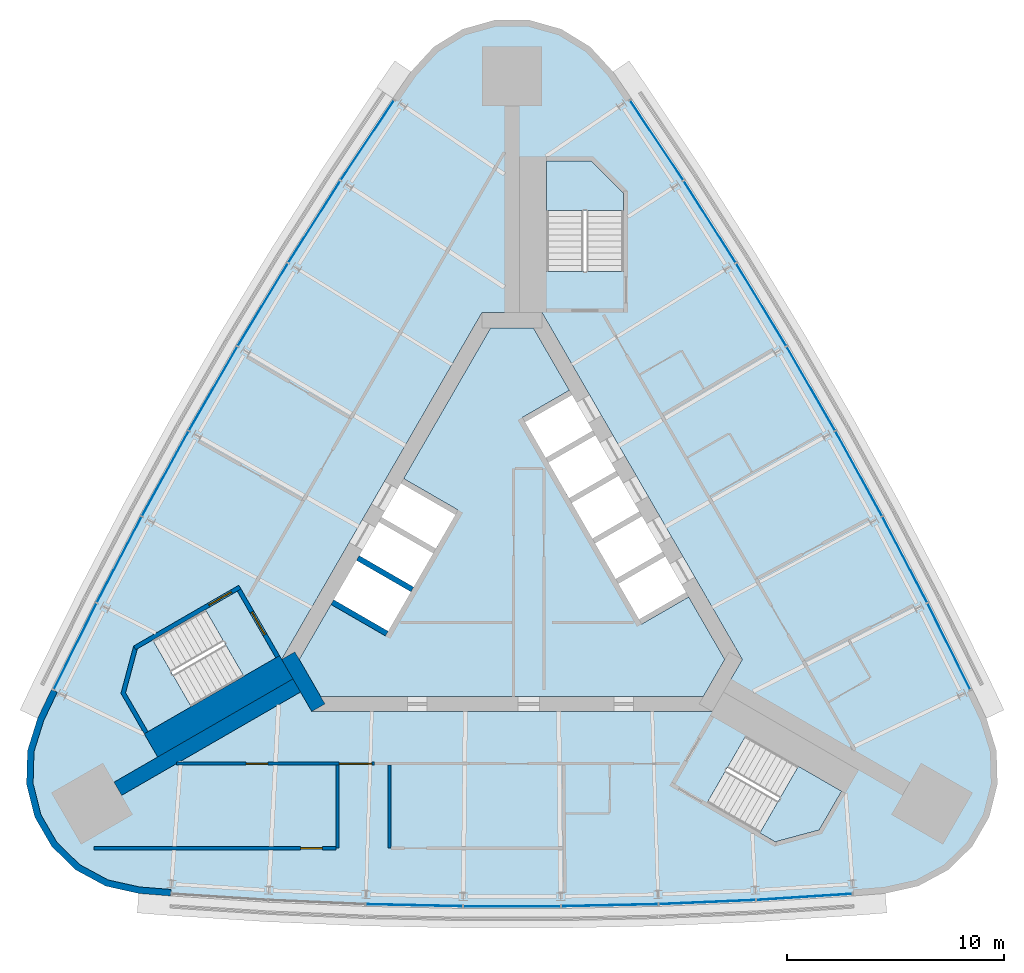
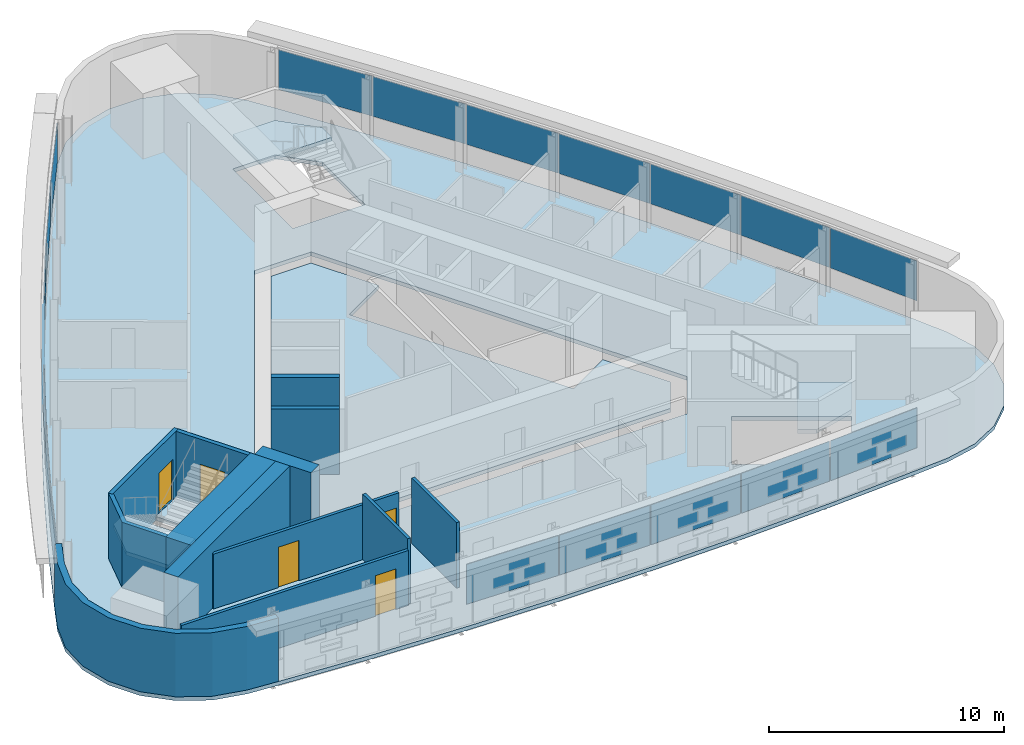
# One storey, part 7 of 12: 19 plates, 13 walls, 5 doors, 5 slabs, 5 openings, 6 elements without a shape of their own.
"""IFC4 building model written with IfcOpenShell, lengths in metres."""

from ifc_helpers import new_model, si_unit, direction, frame, frame_2d, origin, origin_2d, place, context, subcontext, project, spatial, polyline, rectangle, outline, extrude, material, layer, layer_set, type_object, element, fill, aggregate, save


model = new_model("IFC4")

# Units and contexts
model_context = context("Model", 3, precision=1e-05, world=origin(), true_north=direction((0.0, 1.0)))
body_context = subcontext(model_context, "Body", "Model", "MODEL_VIEW")
ifc_project = project(units=[si_unit("LENGTHUNIT", "METRE"), si_unit("AREAUNIT", "SQUARE_METRE"), si_unit("VOLUMEUNIT", "CUBIC_METRE"), si_unit("PLANEANGLEUNIT", "RADIAN"), si_unit("MASSUNIT", "GRAM", prefix="KILO")], contexts=[model_context])

# Site, building, storey
site_placement = place(None, origin())
site = spatial("IfcSite", under=ifc_project, at=site_placement, CompositionType="ELEMENT")
building_placement = place(site_placement, origin())
building = spatial("IfcBuilding", under=site, at=building_placement, Name="Noor Cloister Tower", CompositionType="ELEMENT")
storey_placement = place(building_placement, frame((0.0, 0.0, 188.699951171875)))
storey = spatial("IfcBuildingStorey", under=building, at=storey_placement, Name="L48", CompositionType="ELEMENT", Elevation=188.699951171875)

# Slabs
ifc_material_1 = material(Name="Concrete C40/50", Category="concrete")
ifc_layer_1 = layer(ifc_material_1, 0.199951171875)
ifc_layer_set_1 = layer_set([ifc_layer_1], Name="Core floor slab 200 C40/50")
slab_type_1 = type_object("IfcSlabType", Name="Core floor slab 200 C40/50", PredefinedType="FLOOR", material=ifc_layer_set_1)
slab_1_placement = place(storey_placement, frame((0.0, 0.0, -0.199951171875)))
element("IfcSlab", 1, at=slab_1_placement, inside=storey, type_object=slab_type_1, Name="Core floor L48", PredefinedType="FLOOR", context=body_context, shape_type="SweptSolid", body=[
    extrude(outline(polyline([(2.643798828125, 7.877197265625), (0.9814453125, 10.75634765625), (-0.9814453125, 10.75634765625), (-4.993896484375, 3.806884765625), (-2.482421875, 2.35693359375), (-5.832275390625, -3.4453125), (-8.34375, -1.995361328125), (-9.80615234375, -4.5283203125), (-8.82470703125, -6.228271484375), (8.82470703125, -6.228271484375), (9.80615234375, -4.5283203125), (8.143798828125, -1.64892578125), (5.978759765625, -2.89892578125), (0.478759765625, 6.627197265625), (2.643798828125, 7.877197265625)])), origin(), (0.0, 0.0, 1.0), 0.199951171875),
])
ifc_material_2 = material(Name="Concrete C40/50", Category="concrete")
ifc_layer_2 = layer(ifc_material_2, 0.199951171875)
ifc_layer_set_2 = layer_set([ifc_layer_2], Name="Floor slab 200 C40/50")
slab_type_2 = type_object("IfcSlabType", Name="Floor slab 200 C40/50", PredefinedType="FLOOR", material=ifc_layer_set_2)
slab_2_placement = place(storey_placement, frame((0.0, 0.0, -0.199951171875)))
element("IfcSlab", 2, at=slab_2_placement, inside=storey, type_object=slab_type_2, Name="Floor slab L48", PredefinedType="FLOOR", context=body_context, shape_type="SweptSolid", body=[
    extrude(outline(polyline([(4.659423828125, 22.556884765625), (3.60498046875, 23.70361328125), (2.278076171875, 24.52001953125), (0.779052734375, 24.9443359375), (-0.779052734375, 24.9443359375), (-2.278076171875, 24.52001953125), (-3.60498046875, 23.70361328125), (-4.659423828125, 22.556884765625), (-5.494384765625, 21.341552734375), (-7.98974609375, 17.59716796875), (-10.404541015625, 13.7998046875), (-12.7373046875, 9.951904296875), (-14.9873046875, 6.054931640625), (-17.1533203125, 2.110595703125), (-19.234375, -1.879150390625), (-21.2294921875, -5.91259765625), (-21.864501953125, -7.2431640625), (-22.330322265625, -8.72998046875), (-22.3740234375, -10.287109375), (-21.991943359375, -11.797607421875), (-21.212890625, -13.146728515625), (-20.095947265625, -14.23291015625), (-18.7255859375, -14.973876953125), (-17.205078125, -15.3134765625), (-15.7353515625, -15.428955078125), (-11.24462890625, -15.7177734375), (-6.748779296875, -15.910400390625), (-2.25, -16.0068359375), (2.25, -16.0068359375), (6.748779296875, -15.910400390625), (11.24462890625, -15.7177734375), (15.7353515625, -15.428955078125), (17.205078125, -15.3134765625), (18.7255859375, -14.973876953125), (20.095947265625, -14.23291015625), (21.212890625, -13.146728515625), (21.991943359375, -11.797607421875), (22.3740234375, -10.287109375), (22.330322265625, -8.72998046875), (21.864501953125, -7.2431640625), (21.2294921875, -5.91259765625), (19.234375, -1.879150390625), (17.1533203125, 2.110595703125), (14.9873046875, 6.054931640625), (12.7373046875, 9.951904296875), (10.404541015625, 13.7998046875), (7.98974609375, 17.59716796875), (5.494384765625, 21.341552734375), (4.659423828125, 22.556884765625)]), holes=[polyline([(8.999755859375, -11.126220703125), (12.131591796875, -12.934326171875), (14.1572265625, -12.3916015625), (15.19091796875, -10.601318359375), (10.774658203125, -8.0517578125), (8.999755859375, -11.126220703125)]), polyline([(-17.81005859375, -6.064697265625), (-16.776611328125, -7.85498046875), (-12.3603515625, -5.305419921875), (-14.13525390625, -2.23095703125), (-16.662841796875, -3.690185546875), (-17.267333984375, -4.039306640625), (-17.81005859375, -6.064697265625)]), polyline([(-10.6142578125, -4.5283203125), (-9.228759765625, -6.92822265625), (9.228759765625, -6.92822265625), (10.6142578125, -4.5283203125), (1.3857421875, 11.456298828125), (-1.3857421875, 11.456298828125), (-10.6142578125, -4.5283203125)]), polyline([(3.65283203125, 18.456298828125), (1.585693359375, 18.456298828125), (1.585693359375, 13.35693359375), (5.135498046875, 13.35693359375), (5.135498046875, 16.9736328125), (3.65283203125, 18.456298828125)])]), origin(), (0.0, 0.0, 1.0), 0.199951171875),
])

# Curtain wall, plates
ifc_material_3 = material(Name="Aluminium 6063-T6 anodised", Category="aluminium")
curtain_wall_type = type_object("IfcCurtainWallType", Name="Ribbon curtain wall, upper tower CW5", PredefinedType="NOTDEFINED", material=ifc_material_3)
curtain_wall_1_placement = place(storey_placement, origin())
curtain_wall_1 = element("IfcCurtainWall", 3, at=curtain_wall_1_placement, inside=storey, type_object=curtain_wall_type, Name="CW5 L48 NW run 1", PredefinedType="NOTDEFINED")
ifc_material_4 = material(Name="Clear laminated glass 2 x 8 mm", Category="glass")
ifc_layer_3 = layer(ifc_material_4, 0.028076171875)
ifc_layer_set_3 = layer_set([ifc_layer_3], Name="Glass panel CW5")
plate_type = type_object("IfcPlateType", Name="Glass panel CW5", PredefinedType="CURTAIN_PANEL", material=ifc_layer_set_3)
plate_1_placement = place(storey_placement, frame((-6.668212890625, 19.39990234375, 1.08984375), z_axis=(0.0, 0.0, 1.0), x_axis=(-0.554550704513, -0.832149936084, 0.0)))
plate_1 = element("IfcPlate", 4, at=plate_1_placement, type_object=plate_type, Name="CW5 glass panel 1", PredefinedType="CURTAIN_PANEL", context=body_context, shape_type="SweptSolid", body=[
    extrude(rectangle(XDim=4.413818359375, YDim=0.028076171875, at=origin_2d()), origin(), (0.0, 0.0, 1.0), 2.070068359375),
])
plate_2_placement = place(storey_placement, frame((-9.11279296875, 15.644775390625, 1.08984375), z_axis=(0.0, 0.0, 1.0), x_axis=(-0.536610284799, -0.843830197521, 0.0)))
plate_2 = element("IfcPlate", 5, at=plate_2_placement, type_object=plate_type, Name="CW5 glass panel 2", PredefinedType="CURTAIN_PANEL", context=body_context, shape_type="SweptSolid", body=[
    extrude(rectangle(XDim=4.44775390625, YDim=0.028076171875, at=origin_2d()), origin(), (0.0, 0.0, 1.0), 2.070068359375),
])
plate_3_placement = place(storey_placement, frame((-11.4853515625, 11.823974609375, 1.08984375), z_axis=(0.0, 0.0, 1.0), x_axis=(-0.518423928552, -0.855123751456, 0.0)))
plate_3 = element("IfcPlate", 6, at=plate_3_placement, type_object=plate_type, Name="CW5 glass panel 3", PredefinedType="CURTAIN_PANEL", context=body_context, shape_type="SweptSolid", body=[
    extrude(rectangle(XDim=4.44775390625, YDim=0.028076171875, at=origin_2d()), origin(), (0.0, 0.0, 1.0), 2.070068359375),
])
plate_4_placement = place(storey_placement, frame((-13.775634765625, 7.953369140625, 1.08984375), z_axis=(0.0, 0.0, 1.0), x_axis=(-0.5, -0.866025403784, 0.0)))
plate_4 = element("IfcPlate", 7, at=plate_4_placement, type_object=plate_type, Name="CW5 glass panel 4", PredefinedType="CURTAIN_PANEL", context=body_context, shape_type="SweptSolid", body=[
    extrude(rectangle(XDim=4.44775390625, YDim=0.028076171875, at=origin_2d()), origin(), (0.0, 0.0, 1.0), 2.070068359375),
])
plate_5_placement = place(storey_placement, frame((-15.982666015625, 4.03466796875, 1.08984375), z_axis=(0.0, 0.0, 1.0), x_axis=(-0.481346927864, -0.876530167784, 0.0)))
plate_5 = element("IfcPlate", 8, at=plate_5_placement, type_object=plate_type, Name="CW5 glass panel 5", PredefinedType="CURTAIN_PANEL", context=body_context, shape_type="SweptSolid", body=[
    extrude(rectangle(XDim=4.44775390625, YDim=0.028076171875, at=origin_2d()), origin(), (0.0, 0.0, 1.0), 2.070068359375),
])
plate_6_placement = place(storey_placement, frame((-18.105224609375, 0.0693359375, 1.08984375), z_axis=(0.0, 0.0, 1.0), x_axis=(-0.462473245134, -0.886633237328, 0.0)))
plate_6 = element("IfcPlate", 9, at=plate_6_placement, type_object=plate_type, Name="CW5 glass panel 6", PredefinedType="CURTAIN_PANEL", context=body_context, shape_type="SweptSolid", body=[
    extrude(rectangle(XDim=4.44775390625, YDim=0.028076171875, at=origin_2d()), origin(), (0.0, 0.0, 1.0), 2.070068359375),
])
plate_7_placement = place(storey_placement, frame((-20.134765625, -3.925048828125, 1.08984375), z_axis=(0.0, 0.0, 1.0), x_axis=(-0.443387632149, -0.896329965837, 0.0)))
plate_7 = element("IfcPlate", 10, at=plate_7_placement, type_object=plate_type, Name="CW5 glass panel 7", PredefinedType="CURTAIN_PANEL", context=body_context, shape_type="SweptSolid", body=[
    extrude(rectangle(XDim=4.413818359375, YDim=0.028076171875, at=origin_2d()), origin(), (0.0, 0.0, 1.0), 2.070068359375),
])
aggregate(curtain_wall_1, [plate_1, plate_2, plate_3, plate_4, plate_5, plate_6, plate_7])

curtain_wall_2_placement = place(storey_placement, origin())
curtain_wall_2 = element("IfcCurtainWall", 11, at=curtain_wall_2_placement, inside=storey, type_object=curtain_wall_type, Name="CW5 L48 S run 2", PredefinedType="NOTDEFINED")
plate_8_placement = place(storey_placement, frame((-4.497314453125, -15.858642578125, 1.08984375), z_axis=(0.0, 0.0, 1.0), x_axis=(0.999770856417, -0.021406416328, 0.0)))
plate_8 = element("IfcPlate", 12, at=plate_8_placement, type_object=plate_type, Name="CW5 glass panel 3", PredefinedType="CURTAIN_PANEL", context=body_context, shape_type="SweptSolid", body=[
    extrude(rectangle(XDim=4.44775390625, YDim=0.028076171875, at=origin_2d()), origin(), (0.0, 0.0, 1.0), 2.070068359375),
])
plate_9_placement = place(storey_placement, frame((0.0, -15.90673828125, 1.08984375), z_axis=(0.0, 0.0, 1.0), x_axis=(1.0, 0.0, 0.0)))
plate_9 = element("IfcPlate", 13, at=plate_9_placement, type_object=plate_type, Name="CW5 glass panel 4", PredefinedType="CURTAIN_PANEL", context=body_context, shape_type="SweptSolid", body=[
    extrude(rectangle(XDim=4.44775390625, YDim=0.028076171875, at=origin_2d()), origin(), (0.0, 0.0, 1.0), 2.070068359375),
])
plate_10_placement = place(storey_placement, frame((4.497314453125, -15.858642578125, 1.08984375), z_axis=(0.0, 0.0, 1.0), x_axis=(0.999770856417, 0.021406416328, 0.0)))
plate_10 = element("IfcPlate", 14, at=plate_10_placement, type_object=plate_type, Name="CW5 glass panel 5", PredefinedType="CURTAIN_PANEL", context=body_context, shape_type="SweptSolid", body=[
    extrude(rectangle(XDim=4.44775390625, YDim=0.028076171875, at=origin_2d()), origin(), (0.0, 0.0, 1.0), 2.070068359375),
])
plate_11_placement = place(storey_placement, frame((8.992431640625, -15.71435546875, 1.08984375), z_axis=(0.0, 0.0, 1.0), x_axis=(0.999083529933, 0.042803039807, 0.0)))
plate_11 = element("IfcPlate", 15, at=plate_11_placement, type_object=plate_type, Name="CW5 glass panel 6", PredefinedType="CURTAIN_PANEL", context=body_context, shape_type="SweptSolid", body=[
    extrude(rectangle(XDim=4.44775390625, YDim=0.028076171875, at=origin_2d()), origin(), (0.0, 0.0, 1.0), 2.070068359375),
])
plate_12_placement = place(storey_placement, frame((13.466552734375, -15.474853515625, 1.08984375), z_axis=(0.0, 0.0, 1.0), x_axis=(0.997938336663, 0.064180029753, 0.0)))
plate_12 = element("IfcPlate", 16, at=plate_12_placement, type_object=plate_type, Name="CW5 glass panel 7", PredefinedType="CURTAIN_PANEL", context=body_context, shape_type="SweptSolid", body=[
    extrude(rectangle(XDim=4.413818359375, YDim=0.028076171875, at=origin_2d()), origin(), (0.0, 0.0, 1.0), 2.070068359375),
])
aggregate(curtain_wall_2, [plate_8, plate_9, plate_10, plate_11, plate_12])

curtain_wall_3_placement = place(storey_placement, origin())
curtain_wall_3 = element("IfcCurtainWall", 17, at=curtain_wall_3_placement, inside=storey, type_object=curtain_wall_type, Name="CW5 L48 NE run 3", PredefinedType="NOTDEFINED")
plate_13_placement = place(storey_placement, frame((20.134765625, -3.925048828125, 1.08984375), z_axis=(0.0, 0.0, 1.0), x_axis=(-0.443387632149, 0.896329965837, 0.0)))
plate_13 = element("IfcPlate", 18, at=plate_13_placement, type_object=plate_type, Name="CW5 glass panel 1", PredefinedType="CURTAIN_PANEL", context=body_context, shape_type="SweptSolid", body=[
    extrude(rectangle(XDim=4.413818359375, YDim=0.028076171875, at=origin_2d()), origin(), (0.0, 0.0, 1.0), 2.070068359375),
])
plate_14_placement = place(storey_placement, frame((18.105224609375, 0.0693359375, 1.08984375), z_axis=(0.0, 0.0, 1.0), x_axis=(-0.462473245134, 0.886633237328, 0.0)))
plate_14 = element("IfcPlate", 19, at=plate_14_placement, type_object=plate_type, Name="CW5 glass panel 2", PredefinedType="CURTAIN_PANEL", context=body_context, shape_type="SweptSolid", body=[
    extrude(rectangle(XDim=4.44775390625, YDim=0.028076171875, at=origin_2d()), origin(), (0.0, 0.0, 1.0), 2.070068359375),
])
plate_15_placement = place(storey_placement, frame((15.982666015625, 4.03466796875, 1.08984375), z_axis=(0.0, 0.0, 1.0), x_axis=(-0.481346927864, 0.876530167784, 0.0)))
plate_15 = element("IfcPlate", 20, at=plate_15_placement, type_object=plate_type, Name="CW5 glass panel 3", PredefinedType="CURTAIN_PANEL", context=body_context, shape_type="SweptSolid", body=[
    extrude(rectangle(XDim=4.44775390625, YDim=0.028076171875, at=origin_2d()), origin(), (0.0, 0.0, 1.0), 2.070068359375),
])
plate_16_placement = place(storey_placement, frame((13.775634765625, 7.953369140625, 1.08984375), z_axis=(0.0, 0.0, 1.0), x_axis=(-0.5, 0.866025403784, 0.0)))
plate_16 = element("IfcPlate", 21, at=plate_16_placement, type_object=plate_type, Name="CW5 glass panel 4", PredefinedType="CURTAIN_PANEL", context=body_context, shape_type="SweptSolid", body=[
    extrude(rectangle(XDim=4.44775390625, YDim=0.028076171875, at=origin_2d()), origin(), (0.0, 0.0, 1.0), 2.070068359375),
])
plate_17_placement = place(storey_placement, frame((11.4853515625, 11.823974609375, 1.08984375), z_axis=(0.0, 0.0, 1.0), x_axis=(-0.518423928552, 0.855123751456, 0.0)))
plate_17 = element("IfcPlate", 22, at=plate_17_placement, type_object=plate_type, Name="CW5 glass panel 5", PredefinedType="CURTAIN_PANEL", context=body_context, shape_type="SweptSolid", body=[
    extrude(rectangle(XDim=4.44775390625, YDim=0.028076171875, at=origin_2d()), origin(), (0.0, 0.0, 1.0), 2.070068359375),
])
plate_18_placement = place(storey_placement, frame((9.11279296875, 15.644775390625, 1.08984375), z_axis=(0.0, 0.0, 1.0), x_axis=(-0.536610284799, 0.843830197521, 0.0)))
plate_18 = element("IfcPlate", 23, at=plate_18_placement, type_object=plate_type, Name="CW5 glass panel 6", PredefinedType="CURTAIN_PANEL", context=body_context, shape_type="SweptSolid", body=[
    extrude(rectangle(XDim=4.44775390625, YDim=0.028076171875, at=origin_2d()), origin(), (0.0, 0.0, 1.0), 2.070068359375),
])
plate_19_placement = place(storey_placement, frame((6.668212890625, 19.39990234375, 1.08984375), z_axis=(0.0, 0.0, 1.0), x_axis=(-0.554550704513, 0.832149936084, 0.0)))
plate_19 = element("IfcPlate", 24, at=plate_19_placement, type_object=plate_type, Name="CW5 glass panel 7", PredefinedType="CURTAIN_PANEL", context=body_context, shape_type="SweptSolid", body=[
    extrude(rectangle(XDim=4.413818359375, YDim=0.028076171875, at=origin_2d()), origin(), (0.0, 0.0, 1.0), 2.070068359375),
])
aggregate(curtain_wall_3, [plate_13, plate_14, plate_15, plate_16, plate_17, plate_18, plate_19])

# Stair, slab
ifc_material_5 = material(Name="Concrete C40/50", Category="concrete")
stair_type = type_object("IfcStairType", Name="Exit stair 22 risers", PredefinedType="HALF_TURN_STAIR", material=ifc_material_5)
stair_1_placement = place(storey_placement, origin())
stair_1 = element("IfcStair", 25, at=stair_1_placement, inside=storey, type_object=stair_type, Name="Exit stair ST1 L48", PredefinedType="HALF_TURN_STAIR")
ifc_material_6 = material(Name="Concrete C40/50", Category="concrete")
ifc_layer_4 = layer(ifc_material_6, 0.199951171875)
ifc_layer_set_4 = layer_set([ifc_layer_4], Name="Stair landing 200 C40/50")
slab_type_3 = type_object("IfcSlabType", Name="Stair landing 200 C40/50", PredefinedType="LANDING", material=ifc_layer_set_4)
slab_3_placement = place(storey_placement, frame((0.0, 0.0, 1.60009765625)))
slab_3 = element("IfcSlab", 26, at=slab_3_placement, type_object=slab_type_3, Name="ST1 landing 1", PredefinedType="LANDING", context=body_context, shape_type="SweptSolid", body=[
    extrude(outline(polyline([(5.135498046875, 16.15576171875), (5.135498046875, 16.9736328125), (3.65283203125, 18.456298828125), (1.585693359375, 18.456298828125), (1.585693359375, 16.15576171875), (5.135498046875, 16.15576171875)])), origin(), (0.0, 0.0, 1.0), 0.199951171875),
])
aggregate(stair_1, [slab_3])

stair_2_placement = place(storey_placement, origin())
stair_2 = element("IfcStair", 27, at=stair_2_placement, inside=storey, type_object=stair_type, Name="Exit stair ST2 L48", PredefinedType="HALF_TURN_STAIR")
slab_4_placement = place(storey_placement, frame((0.0, 0.0, 1.60009765625)))
slab_4 = element("IfcSlab", 28, at=slab_4_placement, type_object=slab_type_3, Name="ST2 landing 1", PredefinedType="LANDING", context=body_context, shape_type="SweptSolid", body=[
    extrude(outline(polyline([(-16.55908203125, -3.63037109375), (-17.267333984375, -4.039306640625), (-17.81005859375, -6.064697265625), (-16.776611328125, -7.85498046875), (-14.7841796875, -6.70458984375), (-16.55908203125, -3.63037109375)])), origin(), (0.0, 0.0, 1.0), 0.199951171875),
])
aggregate(stair_2, [slab_4])

stair_3_placement = place(storey_placement, origin())
stair_3 = element("IfcStair", 29, at=stair_3_placement, inside=storey, type_object=stair_type, Name="Exit stair ST3 L48", PredefinedType="HALF_TURN_STAIR")
slab_5_placement = place(storey_placement, frame((0.0, 0.0, 1.60009765625)))
slab_5 = element("IfcSlab", 30, at=slab_5_placement, type_object=slab_type_3, Name="ST3 landing 1", PredefinedType="LANDING", context=body_context, shape_type="SweptSolid", body=[
    extrude(outline(polyline([(11.423583984375, -12.525390625), (12.131591796875, -12.934326171875), (14.1572265625, -12.3916015625), (15.19091796875, -10.601318359375), (13.198486328125, -9.451171875), (11.423583984375, -12.525390625)])), origin(), (0.0, 0.0, 1.0), 0.199951171875),
])
aggregate(stair_3, [slab_5])

# Walls
ifc_material_7 = material(Name="Concrete C70/85", Category="concrete")
ifc_layer_5 = layer(ifc_material_7, 0.699951171875)
ifc_layer_set_5 = layer_set([ifc_layer_5], Name="Buttress wall 700 C70/85")
wall_type_1 = type_object("IfcWallType", Name="Buttress wall 700 C70/85", PredefinedType="SHEAR", material=ifc_layer_set_5)
wall_1_placement = place(storey_placement, frame((-9.921630859375, -5.728271484375, -0.199951171875), z_axis=(0.0, 0.0, 1.0), x_axis=(-0.866025463095, -0.499999897272, 0.0)))
element("IfcWall", 31, at=wall_1_placement, inside=storey, type_object=wall_type_1, Name="Buttress wall SW L48", PredefinedType="SHEAR", context=body_context, shape_type="SweptSolid", body=[
    extrude(rectangle(XDim=9.521484375, YDim=0.699951171875, at=frame_2d((4.7607421875, 0.0))), origin(), (0.0, 0.0, 1.0), 3.60009765625),
])
ifc_material_8 = material(Name="Concrete C70/85", Category="concrete")
ifc_layer_6 = layer(ifc_material_8, 0.699951171875)
ifc_layer_set_6 = layer_set([ifc_layer_6], Name="Core wall 700 C70/85")
wall_type_2 = type_object("IfcWallType", Name="Core wall 700 C70/85", PredefinedType="SHEAR", material=ifc_layer_set_6)
wall_2_placement = place(storey_placement, frame((-10.311279296875, -4.353271484375, -0.199951171875), z_axis=(0.0, 0.0, 1.0), x_axis=(0.500042739161, -0.866000726912, 0.0)))
element("IfcWall", 32, at=wall_2_placement, inside=storey, type_object=wall_type_2, Name="Core wall L48 6", PredefinedType="SHEAR", context=body_context, shape_type="SweptSolid", body=[
    extrude(rectangle(XDim=2.771240234375, YDim=0.699951171875, at=frame_2d((1.3857421875, 0.0))), origin(), (0.0, 0.0, 1.0), 3.60009765625),
])

# Wall, openings, doors
ifc_material_9 = material(Name="Gypsum board partition on steel studs, 150 mm", Category="steel")
ifc_layer_7 = layer(ifc_material_9, 0.14990234375)
ifc_layer_set_7 = layer_set([ifc_layer_7], Name="Flat wall 150")
wall_type_3 = type_object("IfcWallType", Name="Flat wall 150", PredefinedType="PARTITIONING", material=ifc_layer_set_7)
wall_3_placement = place(storey_placement, frame((-15.45703125, -9.328125, 0.0), z_axis=(0.0, 0.0, 1.0), x_axis=(1.0, 0.0, 0.0)))
wall_3 = element("IfcWall", 33, at=wall_3_placement, inside=storey, type_object=wall_type_3, Name="Wall L48-W14", PredefinedType="PARTITIONING", context=body_context, shape_type="SweptSolid", body=[
    extrude(rectangle(XDim=9.11962890625, YDim=0.14990234375, at=frame_2d((4.559814453125, 0.0))), origin(), (0.0, 0.0, 1.0), 2.85205078125),
])
opening_1_placement = place(wall_3_placement, frame((7.490966796875, 0.0, 0.0)))
opening_1 = element("IfcOpeningElement", 34, at=opening_1_placement, cuts=wall_3, Name="Opening L48-009", PredefinedType="OPENING", context=body_context, shape_type="SweptSolid", body=[
    extrude(rectangle(XDim=1.5, YDim=2.10009765625, at=frame_2d((0.75, 1.050048828125))), frame((0.0, 0.0849609375, 0.0), z_axis=(0.0, -1.0, 0.0), x_axis=(1.0, 0.0, 0.0)), (0.0, 0.0, 1.0), 0.169921875),
])
opening_2_placement = place(wall_3_placement, frame((3.2060546875, 0.0, 0.0)))
opening_2 = element("IfcOpeningElement", 35, at=opening_2_placement, cuts=wall_3, Name="Opening L48-011", PredefinedType="OPENING", context=body_context, shape_type="SweptSolid", body=[
    extrude(rectangle(XDim=1.0, YDim=2.10009765625, at=frame_2d((0.5, 1.050048828125))), frame((0.0, 0.0849609375, 0.0), z_axis=(0.0, -1.0, 0.0), x_axis=(1.0, 0.0, 0.0)), (0.0, 0.0, 1.0), 0.169921875),
])
ifc_material_10 = material(Name="Timber door leaf with steel frame", Category="steel")
door_type_1 = type_object("IfcDoorType", Name="Double door 1500 FD60", OperationType="NOTDEFINED", PredefinedType="DOOR", material=ifc_material_10)
door_1_placement = place(opening_1_placement, origin())
door_1 = element("IfcDoor", 36, at=door_1_placement, inside=storey, type_object=door_type_1, Name="Door L48-009", OperationType="DOUBLE_DOOR_SINGLE_SWING", OverallHeight=2.10009765625, OverallWidth=1.5, PredefinedType="DOOR", context=body_context, shape_type="SweptSolid", body=[
    extrude(rectangle(XDim=1.5, YDim=2.10009765625, at=frame_2d((0.75, 1.050048828125))), frame((0.0, 0.02490234375, 0.0), z_axis=(0.0, -1.0, 0.0), x_axis=(1.0, 0.0, 0.0)), (0.0, 0.0, 1.0), 0.050048828125),
])
fill(opening_1, door_1)
ifc_material_11 = material(Name="Timber door leaf with steel frame", Category="steel")
door_type_2 = type_object("IfcDoorType", Name="Interior door 1000 FD60", OperationType="NOTDEFINED", PredefinedType="DOOR", material=ifc_material_11)
door_2_placement = place(opening_2_placement, origin())
door_2 = element("IfcDoor", 37, at=door_2_placement, inside=storey, type_object=door_type_2, Name="Door L48-011", OperationType="SINGLE_SWING_LEFT", OverallHeight=2.10009765625, OverallWidth=1.0, PredefinedType="DOOR", context=body_context, shape_type="SweptSolid", body=[
    extrude(rectangle(XDim=1.0, YDim=2.10009765625, at=frame_2d((0.5, 1.050048828125))), frame((0.0, 0.02490234375, 0.0), z_axis=(0.0, -1.0, 0.0), x_axis=(1.0, 0.0, 0.0)), (0.0, 0.0, 1.0), 0.050048828125),
])
fill(opening_2, door_2)

# Walls
for number, where, z_axis, x_axis, name in (
    (38, (-8.044677734375, -9.4033203125, 0.0), (0.0, 0.0, 1.0), (0.0, -1.0, 0.0), "Wall L48-W18"),
    (39, (-5.644775390625, -9.4033203125, 0.0), (0.0, 0.0, 1.0), (0.0, -1.0, 0.0), "Wall L48-W19"),
):
    element("IfcWall", number, at=place(storey_placement, frame(where, z_axis=z_axis, x_axis=x_axis)), inside=storey, type_object=wall_type_3, Name=name, PredefinedType="PARTITIONING", context=body_context, shape_type="SweptSolid", body=[
        extrude(rectangle(XDim=3.8251953125, YDim=0.14990234375, at=frame_2d((1.91259765625, 0.0))), origin(), (0.0, 0.0, 1.0), 3.400146484375),
    ])

# Wall, opening, door
wall_4_placement = place(storey_placement, frame((-19.262451171875, -13.228515625, 0.0), z_axis=(0.0, 0.0, 1.0), x_axis=(1.0, 0.0, 0.0)))
wall_4 = element("IfcWall", 40, at=wall_4_placement, inside=storey, type_object=wall_type_3, Name="Wall L48-W20", PredefinedType="PARTITIONING", context=body_context, shape_type="SweptSolid", body=[
    extrude(rectangle(XDim=11.142578125, YDim=0.14990234375, at=frame_2d((5.5712890625, 0.0))), origin(), (0.0, 0.0, 1.0), 2.85205078125),
])
opening_3_placement = place(wall_4_placement, frame((9.517822265625, 0.0, 0.0)))
opening_3 = element("IfcOpeningElement", 41, at=opening_3_placement, cuts=wall_4, Name="Opening L48-010", PredefinedType="OPENING", context=body_context, shape_type="SweptSolid", body=[
    extrude(rectangle(XDim=1.0, YDim=2.10009765625, at=frame_2d((0.5, 1.050048828125))), frame((0.0, 0.0849609375, 0.0), z_axis=(0.0, -1.0, 0.0), x_axis=(1.0, 0.0, 0.0)), (0.0, 0.0, 1.0), 0.169921875),
])
door_3_placement = place(opening_3_placement, origin())
door_3 = element("IfcDoor", 42, at=door_3_placement, inside=storey, type_object=door_type_2, Name="Door L48-010", OperationType="SINGLE_SWING_RIGHT", OverallHeight=2.10009765625, OverallWidth=1.0, PredefinedType="DOOR", context=body_context, shape_type="SweptSolid", body=[
    extrude(rectangle(XDim=1.0, YDim=2.10009765625, at=frame_2d((0.5, 1.050048828125))), frame((0.0, 0.02490234375, 0.0), z_axis=(0.0, -1.0, 0.0), x_axis=(1.0, 0.0, 0.0)), (0.0, 0.0, 1.0), 0.050048828125),
])
fill(opening_3, door_3)

# Walls
ifc_material_12 = material(Name="Limestone", Category="masonry")
ifc_layer_8 = layer(ifc_material_12, 0.300048828125)
ifc_layer_set_8 = layer_set([ifc_layer_8], Name="Limestone cladding 300")
wall_type_4 = type_object("IfcWallType", Name="Limestone cladding 300", PredefinedType="NOTDEFINED", material=ifc_layer_set_8)
wall_5_placement = place(storey_placement, origin())
element("IfcWall", 43, at=wall_5_placement, inside=storey, type_object=wall_type_4, Name="Limestone pier cladding L48 1.1", PredefinedType="NOTDEFINED", context=body_context, shape_type="SweptSolid", body=[
    extrude(outline(polyline([(-21.2294921875, -5.91259765625), (-21.864501953125, -7.2431640625), (-22.330322265625, -8.72998046875), (-22.3740234375, -10.287109375), (-21.991943359375, -11.797607421875), (-21.212890625, -13.146728515625), (-20.095947265625, -14.23291015625), (-18.7255859375, -14.973876953125), (-17.205078125, -15.3134765625), (-15.7353515625, -15.428955078125), (-15.711669921875, -15.1298828125), (-17.160400390625, -15.01611328125), (-18.619384765625, -14.690185546875), (-19.916748046875, -13.98876953125), (-20.973876953125, -12.960693359375), (-21.711181640625, -11.68359375), (-22.072998046875, -10.25390625), (-22.03173828125, -8.77978515625), (-21.58447265625, -7.353271484375), (-20.958740234375, -6.041748046875), (-21.2294921875, -5.91259765625)])), origin(), (0.0, 0.0, 1.0), 3.300048828125),
])
ifc_material_13 = material(Name="Concrete C70/85", Category="concrete")
ifc_layer_9 = layer(ifc_material_13, 0.25)
ifc_layer_set_9 = layer_set([ifc_layer_9], Name="Shaft wall 250 C70/85")
wall_type_5 = type_object("IfcWallType", Name="Shaft wall 250 C70/85", PredefinedType="PARTITIONING", material=ifc_layer_set_9)
for number, where, z_axis, x_axis, name in (
    (44, (-7.106201171875, 0.14794921875, -0.199951171875), (0.0, 0.0, 1.0), (0.866032775405, -0.499987231761, 0.0), "Lift shaft wall L48 NW 5"),
    (45, (-8.28125, -1.88720703125, -0.199951171875), (0.0, 0.0, 1.0), (0.866032775405, -0.499987231761, 0.0), "Lift shaft wall L48 NW 6"),
):
    element("IfcWall", number, at=place(storey_placement, frame(where, z_axis=z_axis, x_axis=x_axis)), inside=storey, type_object=wall_type_5, Name=name, PredefinedType="PARTITIONING", context=body_context, shape_type="SweptSolid", body=[
        extrude(rectangle(XDim=2.89990234375, YDim=0.25, at=frame_2d((1.449951171875, 0.0))), origin(), (0.0, 0.0, 1.0), 3.60009765625),
    ])
ifc_material_14 = material(Name="Concrete C70/85", Category="concrete")
ifc_layer_10 = layer(ifc_material_14, 1.236083984375)
ifc_layer_set_10 = layer_set([ifc_layer_10], Name="Stair enclosure wall 1236 C70/85")
wall_type_6 = type_object("IfcWallType", Name="Stair enclosure wall 1236 C70/85", PredefinedType="SHEAR", material=ifc_layer_set_10)
wall_6_placement = place(storey_placement, frame((-10.405517578125, -4.889892578125, -0.199951171875), z_axis=(0.0, 0.0, 1.0), x_axis=(-0.866018442252, -0.500012057535, 0.0)))
element("IfcWall", 46, at=wall_6_placement, inside=storey, type_object=wall_type_6, Name="Stair enclosure wall ST2 L48 riser side", PredefinedType="SHEAR", context=body_context, shape_type="SweptSolid", body=[
    extrude(rectangle(XDim=7.199951171875, YDim=1.235595703125, at=frame_2d((3.60009765625, 0.0))), origin(), (0.0, 0.0, 1.0), 3.60009765625),
])

# Wall, opening, door
ifc_material_15 = material(Name="Concrete C70/85", Category="concrete")
ifc_layer_11 = layer(ifc_material_15, 0.199951171875)
ifc_layer_set_11 = layer_set([ifc_layer_11], Name="Stair enclosure wall 200 C70/85")
wall_type_7 = type_object("IfcWallType", Name="Stair enclosure wall 200 C70/85", PredefinedType="SHEAR", material=ifc_layer_set_11)
wall_7_placement = place(storey_placement, frame((-12.575927734375, -1.33056640625, -0.199951171875), z_axis=(0.0, 0.0, 1.0), x_axis=(0.499970499736, -0.8660424351, 0.0)))
wall_7 = element("IfcWall", 47, at=wall_7_placement, inside=storey, type_object=wall_type_7, Name="Stair enclosure wall ST2 L48 near end", PredefinedType="SHEAR", context=body_context, shape_type="SweptSolid", body=[
    extrude(rectangle(XDim=3.550048828125, YDim=0.199951171875, at=frame_2d((1.77490234375, 0.0))), origin(), (0.0, 0.0, 1.0), 3.60009765625),
])
opening_4_placement = place(wall_7_placement, frame((1.175048828125, 0.0, 0.199951171875)))
opening_4 = element("IfcOpeningElement", 48, at=opening_4_placement, cuts=wall_7, Name="Opening L48-ST2L", PredefinedType="OPENING", context=body_context, shape_type="SweptSolid", body=[
    extrude(rectangle(XDim=1.199951171875, YDim=2.10009765625, at=frame_2d((0.60009765625, 1.050048828125))), frame((0.0, 0.10986328125, 0.0), z_axis=(0.0, -1.0, 0.0), x_axis=(1.0, 0.0, 0.0)), (0.0, 0.0, 1.0), 0.219970703125),
])
ifc_material_16 = material(Name="Steel", Category="steel")
door_type_3 = type_object("IfcDoorType", Name="Stair door 1200 x 2100 FD120", OperationType="SINGLE_SWING_LEFT", PredefinedType="DOOR", material=ifc_material_16)
door_4_placement = place(opening_4_placement, origin())
door_4 = element("IfcDoor", 49, at=door_4_placement, inside=storey, type_object=door_type_3, Name="Stair door ST2 L48", OperationType="SINGLE_SWING_RIGHT", OverallHeight=2.10009765625, OverallWidth=1.199951171875, PredefinedType="DOOR", context=body_context, shape_type="SweptSolid", body=[
    extrude(rectangle(XDim=1.199951171875, YDim=2.10009765625, at=frame_2d((0.60009765625, 1.050048828125))), frame((0.0, 0.02490234375, 0.0), z_axis=(0.0, -1.0, 0.0), x_axis=(1.0, 0.0, 0.0)), (0.0, 0.0, 1.0), 0.050048828125),
])
fill(opening_4, door_4)

wall_8_placement = place(storey_placement, frame((-12.539306640625, -1.194091796875, -0.199951171875), z_axis=(0.0, 0.0, 1.0), x_axis=(-0.866045472092, -0.499965239061, 0.0)))
wall_8 = element("IfcWall", 50, at=wall_8_placement, inside=storey, type_object=wall_type_7, Name="Stair enclosure wall ST2 L48 outer side", PredefinedType="SHEAR", context=body_context, shape_type="SweptSolid", body=[
    extrude(rectangle(XDim=5.60009765625, YDim=0.199951171875, at=frame_2d((2.800048828125, 0.0))), origin(), (0.0, 0.0, 1.0), 3.60009765625),
])
opening_5_placement = place(wall_8_placement, frame((0.449951171875, 0.0, 0.199951171875)))
opening_5 = element("IfcOpeningElement", 51, at=opening_5_placement, cuts=wall_8, Name="Opening L48-ST2C", PredefinedType="OPENING", context=body_context, shape_type="SweptSolid", body=[
    extrude(rectangle(XDim=1.199951171875, YDim=2.10009765625, at=frame_2d((0.60009765625, 1.050048828125))), frame((0.0, 0.10986328125, 0.0), z_axis=(0.0, -1.0, 0.0), x_axis=(1.0, 0.0, 0.0)), (0.0, 0.0, 1.0), 0.219970703125),
])
door_5_placement = place(opening_5_placement, origin())
door_5 = element("IfcDoor", 52, at=door_5_placement, inside=storey, type_object=door_type_3, Name="Stair door ST2 L48", OperationType="SINGLE_SWING_LEFT", OverallHeight=2.10009765625, OverallWidth=1.199951171875, PredefinedType="DOOR", context=body_context, shape_type="SweptSolid", body=[
    extrude(rectangle(XDim=1.199951171875, YDim=2.10009765625, at=frame_2d((0.60009765625, 1.050048828125))), frame((0.0, 0.02490234375, 0.0), z_axis=(0.0, -1.0, 0.0), x_axis=(1.0, 0.0, 0.0)), (0.0, 0.0, 1.0), 0.050048828125),
])
fill(opening_5, door_5)

# Wall
ifc_material_17 = material(Name="Concrete C70/85", Category="concrete")
wall_type_8 = type_object("IfcWallType", Name="Stair far end wall C70/85", PredefinedType="SHEAR", material=ifc_material_17)
wall_9_placement = place(storey_placement, frame((0.0, 0.0, -0.199951171875)))
element("IfcWall", 53, at=wall_9_placement, inside=storey, type_object=wall_type_8, Name="Stair enclosure wall ST2 L48 far end", PredefinedType="SHEAR", context=body_context, shape_type="SweptSolid", body=[
    extrude(outline(polyline([(-17.439208984375, -3.907470703125), (-18.024658203125, -6.093017578125), (-16.94970703125, -7.955078125), (-16.776611328125, -7.85498046875), (-17.81005859375, -6.064697265625), (-17.267333984375, -4.039306640625), (-17.339111328125, -4.08056640625), (-17.339111328125, -4.08056640625), (-17.339111328125, -4.08056640625), (-17.339111328125, -4.08056640625), (-17.339111328125, -4.08056640625), (-17.339111328125, -4.08056640625), (-17.339111328125, -4.08056640625), (-17.339111328125, -4.08056640625), (-17.339111328125, -4.08056640625), (-17.339111328125, -4.08056640625), (-17.339111328125, -4.08056640625), (-17.339111328125, -4.08056640625), (-17.339111328125, -4.08056640625), (-17.339111328125, -4.08056640625), (-17.339111328125, -4.08056640625), (-17.339111328125, -4.08056640625), (-17.339111328125, -4.08056640625), (-17.439208984375, -3.907470703125)])), origin(), (0.0, 0.0, 1.0), 3.60009765625),
])

save(model, "model.ifc")
